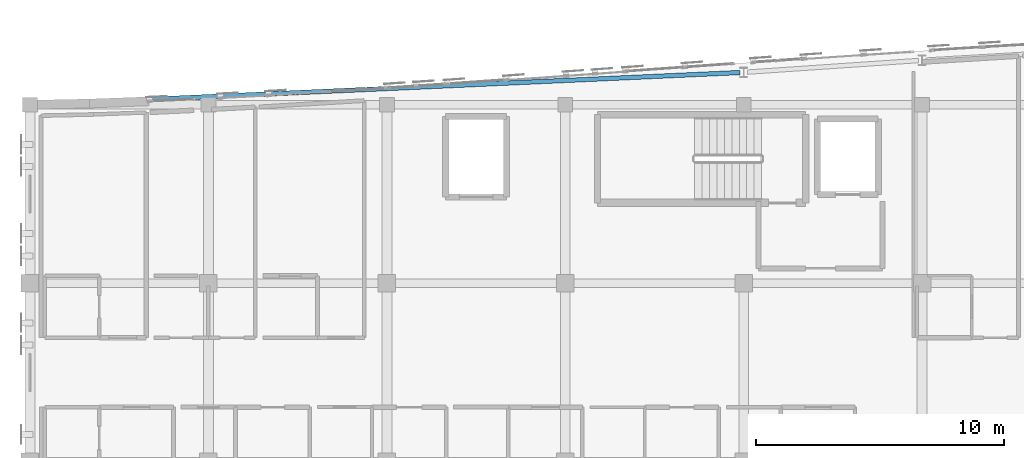
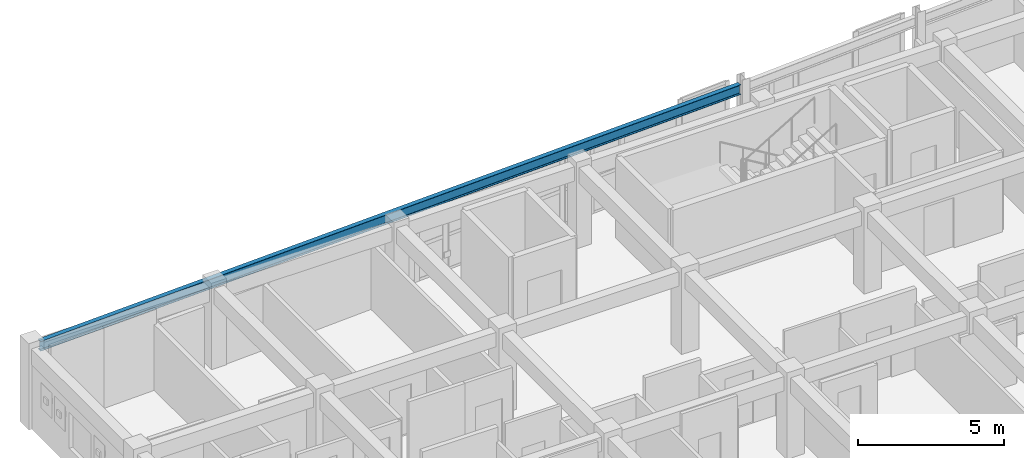
# One storey, part 7 of 48: 1 beam.
"""IFC4 building model written with IfcOpenShell, lengths in metres."""

from ifc_helpers import new_model, si_unit, direction, frame, origin, origin_2d, place, context, subcontext, project, spatial, i_section, extrude, material, material_profile, profile_set, type_object, element, save


model = new_model("IFC4")

# Units and contexts
model_context = context("Model", 3, precision=1e-05, world=origin(), true_north=direction((0.0, 1.0)))
body_context = subcontext(model_context, "Body", "Model", "MODEL_VIEW")
ifc_project = project(units=[si_unit("LENGTHUNIT", "METRE"), si_unit("AREAUNIT", "SQUARE_METRE"), si_unit("VOLUMEUNIT", "CUBIC_METRE"), si_unit("PLANEANGLEUNIT", "RADIAN"), si_unit("MASSUNIT", "GRAM", prefix="KILO")], contexts=[model_context])

# Site, building, storey
site_placement = place(None, origin())
site = spatial("IfcSite", under=ifc_project, at=site_placement, CompositionType="ELEMENT")
building_placement = place(site_placement, origin())
building = spatial("IfcBuilding", under=site, at=building_placement, Name="Carrowvane Square Congress Hotel", CompositionType="ELEMENT")
storey_placement = place(building_placement, frame((0.0, 0.0, 26.39990234375)))
storey = spatial("IfcBuildingStorey", under=building, at=storey_placement, Name="L06", CompositionType="ELEMENT", Elevation=26.39990234375)

# Beam
ifc_material = material(Name="Steel S355", Category="steel")
ifc_material_profile = material_profile(ifc_material, i_section(OverallWidth=0.1787109375, OverallDepth=0.409423828125, WebThickness=0.0087890625, FlangeThickness=0.014404296875, FilletRadius=0.01025390625, at=origin_2d()), Name="UKB 406x178x67")
ifc_profile_set = profile_set([ifc_material_profile], Name="Steel S355")
beam_type = type_object("IfcBeamType", Name="BM-ST-UKB406", PredefinedType="BEAM", material=ifc_profile_set)
beam_placement = place(storey_placement, frame((33.499755859375, 113.41357421875, 3.1455078125), z_axis=(0.998973341492, 0.045301909323, 0.0), x_axis=(-0.045301909323, 0.998973341492, 0.0)))
element("IfcBeam", 1, at=beam_placement, inside=storey, type_object=beam_type, Name="L07 curved north spandrel", PredefinedType="BEAM", context=body_context, shape_type="SweptSolid", body=[
    extrude(i_section(OverallWidth=0.1787109375, OverallDepth=0.409423828125, WebThickness=0.0087890625, FlangeThickness=0.014404296875, FilletRadius=0.01025390625, at=origin_2d()), origin(), (0.0, 0.0, 1.0), 28.37939453125),
])

save(model, "model.ifc")
